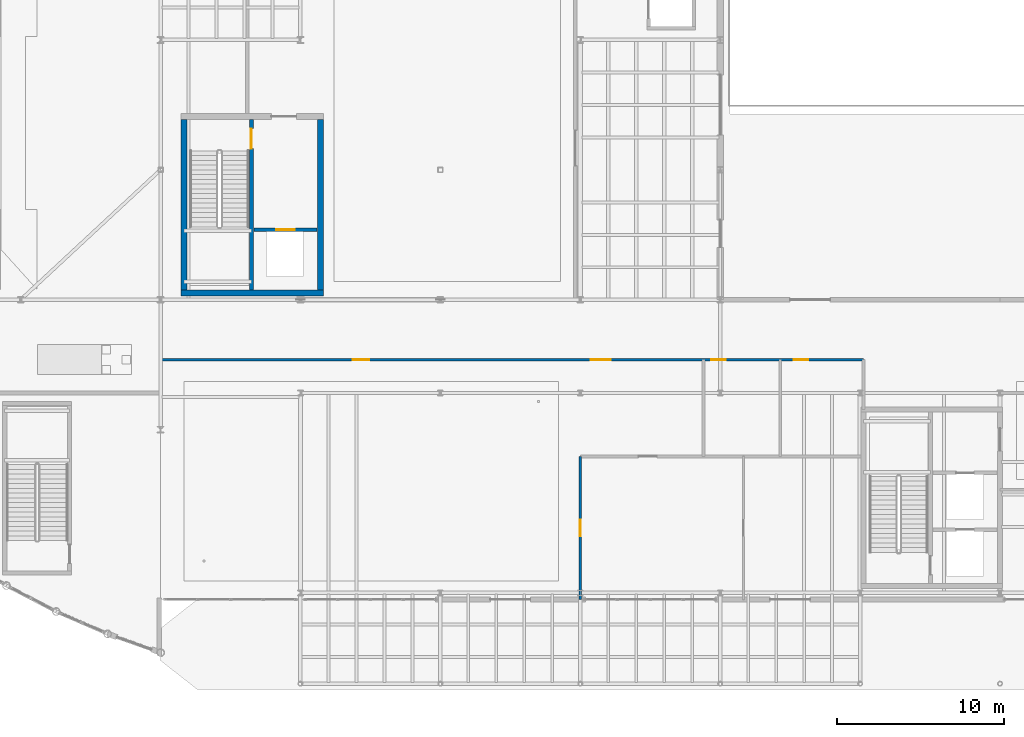
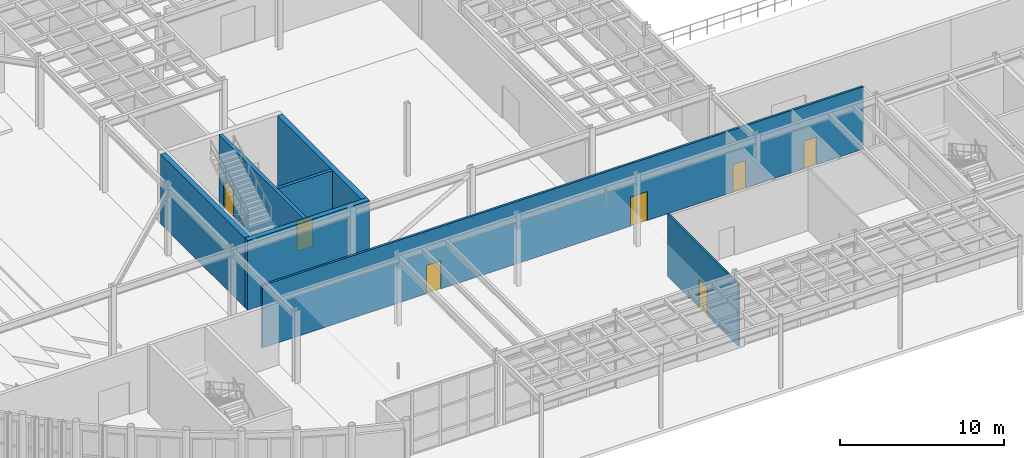
# One storey, part 63 of 87: 7 doors, 7 walls, 7 openings.
"""IFC4 building model written with IfcOpenShell, lengths in metres."""

import ifcopenshell
import ifcopenshell.guid

model = None  # the IFC model being written
_history = None  # IfcOwnerHistory: only IFC2X3 demands one
_inside = {}  # id of a spatial element -> (the spatial element, [elements in it])
_under = {}  # id of a project, library or spatial element -> (it, [spatial elements below it])
_declared = {}  # id of a project -> (the project, [libraries it declares])
_typed = {}  # id of a type object -> (the type object, [elements of that type])
_made_of = {}  # id of a material, layer set ... -> (it, [elements and type objects made of it])


def new_model(schema):
    """Start an empty IFC model of exactly this schema.

    Asked for "IFC4X3", IfcOpenShell would pick the latest addendum, in which some entities
    have other attributes; the version numbers below select the first issue.
    IFC2X3 requires an IfcOwnerHistory on every rooted entity: one is made here for all.
    """
    global model, _history
    if schema == "IFC4X3":
        model = ifcopenshell.file(schema_version=(4, 3, 0, 0))
    else:
        model = ifcopenshell.file(schema=schema)
    _inside.clear()
    _under.clear()
    _declared.clear()
    _typed.clear()
    _made_of.clear()
    _history = None
    if model.schema == "IFC2X3":
        org = make("IfcOrganization", Name="unknown")
        user = make(
            "IfcPersonAndOrganization",
            ThePerson=make("IfcPerson", FamilyName="unknown"),
            TheOrganization=org,
        )
        app = make(
            "IfcApplication",
            ApplicationDeveloper=org,
            Version="unknown",
            ApplicationFullName="unknown",
            ApplicationIdentifier="unknown",
        )
        _history = make(
            "IfcOwnerHistory",
            OwningUser=user,
            OwningApplication=app,
            ChangeAction="ADDED",
            CreationDate=0,
        )
    return model


def make(cls, **values):
    """One entity of the class cls with the attributes given. An attribute that is None is left unset."""
    return model.create_entity(
        cls, **{name: value for name, value in values.items() if value is not None}
    )


def rooted(cls, **values):
    """An entity with a GlobalId (a new one), such as an element, a storey or a relation."""
    return make(cls, GlobalId=ifcopenshell.guid.new(), OwnerHistory=_history, **values)


def si_unit(unit_type, name, prefix=None):
    """IfcSIUnit, for example si_unit("LENGTHUNIT", "METRE", prefix="MILLI")."""
    return make("IfcSIUnit", UnitType=unit_type, Prefix=prefix, Name=name)


def assignment(units):
    """IfcUnitAssignment: the units of a project."""
    return None if units is None else make("IfcUnitAssignment", Units=units)


def point(xyz):
    """IfcCartesianPoint."""
    return None if xyz is None else make("IfcCartesianPoint", Coordinates=xyz)


def direction(xyz):
    """IfcDirection."""
    return None if xyz is None else make("IfcDirection", DirectionRatios=xyz)


def frame(location, z_axis=None, x_axis=None):
    """IfcAxis2Placement3D, a coordinate frame: its origin and axes. An axis left out is left unset."""
    return make(
        "IfcAxis2Placement3D",
        Location=point(location),
        Axis=direction(z_axis),
        RefDirection=direction(x_axis),
    )


def frame_2d(location, x_axis=None):
    """IfcAxis2Placement2D, a coordinate frame in the plane: its origin and x axis."""
    return make(
        "IfcAxis2Placement2D", Location=point(location), RefDirection=direction(x_axis)
    )


def origin():
    """The frame at (0, 0, 0) with its axes left unset."""
    return frame((0.0, 0.0, 0.0))


def place(relative_to, where):
    """IfcLocalPlacement: puts the frame where relative to a parent placement (None: the world)."""
    return make(
        "IfcLocalPlacement", PlacementRelTo=relative_to, RelativePlacement=where
    )


def context(
    kind, dimensions, precision=None, world=None, true_north=None, identifier=None
):
    """IfcGeometricRepresentationContext, for example the 3D "Model" context."""
    return make(
        "IfcGeometricRepresentationContext",
        ContextIdentifier=identifier,
        ContextType=kind,
        CoordinateSpaceDimension=dimensions,
        Precision=precision,
        WorldCoordinateSystem=world,
        TrueNorth=true_north,
    )


def subcontext(parent, identifier, kind, view, scale=None):
    """IfcGeometricRepresentationSubContext, for example "Body" below "Model"."""
    return make(
        "IfcGeometricRepresentationSubContext",
        ContextIdentifier=identifier,
        ContextType=kind,
        ParentContext=parent,
        TargetScale=scale,
        TargetView=view,
    )


def project(units=None, contexts=None):
    """IfcProject with its units and contexts."""
    return rooted(
        "IfcProject",
        Name="project",
        RepresentationContexts=contexts,
        UnitsInContext=assignment(units),
    )


def spatial(cls, under=None, at=None, **own):
    """A site, building, storey or space (cls), placed at a placement, below another one or the project."""
    s = rooted(cls, ObjectPlacement=at, **own)
    if under is not None:
        _under.setdefault(under.id(), (under, []))[1].append(s)
    return s


def profile(cls, at=None, kind="AREA", **sizes):
    """A parametric profile (cls). Its sizes go by their IFC names, for example OverallWidth=200.0."""
    return make(cls, ProfileType=kind, Position=at, **sizes)


def rectangle(**sizes):
    """IfcRectangleProfileDef."""
    return profile("IfcRectangleProfileDef", **sizes)


def extrude(swept, where, along, depth):
    """IfcExtrudedAreaSolid: the profile swept, set in the frame where, extruded along a direction by depth."""
    return make(
        "IfcExtrudedAreaSolid",
        SweptArea=swept,
        Position=where,
        ExtrudedDirection=direction(along),
        Depth=depth,
    )


def shape(context_of_items, identifier, shape_type, items):
    """IfcShapeRepresentation: the items that make up one representation, for example the "Body"."""
    return make(
        "IfcShapeRepresentation",
        ContextOfItems=context_of_items,
        RepresentationIdentifier=identifier,
        RepresentationType=shape_type,
        Items=items,
    )


def material(Name=None, Category=None):
    """IfcMaterial."""
    return make("IfcMaterial", Name=Name, Category=Category)


def layer(
    of_material, thickness, ventilated=None, Name=None, Category=None, Priority=None
):
    """IfcMaterialLayer: one layer of a wall or slab, of a material (None: an air gap)."""
    return make(
        "IfcMaterialLayer",
        Material=of_material,
        LayerThickness=thickness,
        IsVentilated=ventilated,
        Name=Name,
        Category=Category,
        Priority=Priority,
    )


def layer_set(layers, Name=None):
    """IfcMaterialLayerSet."""
    return make("IfcMaterialLayerSet", MaterialLayers=layers, LayerSetName=Name)


def made_of(thing, what):
    """Note that an element or type object is made of a material, layer set ...; save() writes the relation."""
    if what is not None:
        _made_of.setdefault(what.id(), (what, []))[1].append(thing)
    return thing


def type_object(cls, material=None, **own):
    """A type object (cls), such as IfcWallType, which elements share."""
    return made_of(rooted(cls, **own), material)


def element(
    cls,
    number,
    at=None,
    inside=None,
    cuts=None,
    type_object=None,
    material=None,
    context=None,
    identifier="Body",
    shape_type=None,
    held_by="IfcProductDefinitionShape",
    body=None,
    shapes=None,
    **own,
):
    """One element of the class cls, such as IfcWall. Its Tag is "e" and its number.

    at: its placement. inside: the storey or other place that contains it. cuts: it is an
    opening in that element (IfcRelVoidsElement). A single representation is given by context,
    identifier, shape_type and body (its items); several are given by shapes. held_by: the class
    of the entity that holds the representations. save() writes the other relations.
    """
    e = rooted(cls, Tag="e%d" % number, ObjectPlacement=at, **own)
    if body is not None:
        shapes = [shape(context, identifier, shape_type, body)]
    if shapes is not None:
        e.Representation = make(held_by, Representations=shapes)
    if inside is not None:
        _inside.setdefault(inside.id(), (inside, []))[1].append(e)
    if cuts is not None:
        rooted(
            "IfcRelVoidsElement", RelatingBuildingElement=cuts, RelatedOpeningElement=e
        )
    if type_object is not None:
        _typed.setdefault(type_object.id(), (type_object, []))[1].append(e)
    return made_of(e, material)


def fill(opening, filler):
    """IfcRelFillsElement: the door or window that sits in an opening."""
    return rooted(
        "IfcRelFillsElement",
        RelatingOpeningElement=opening,
        RelatedBuildingElement=filler,
    )


def aggregate(whole, parts):
    """IfcRelAggregates: a whole, such as a stair, and the parts it consists of."""
    return rooted("IfcRelAggregates", RelatingObject=whole, RelatedObjects=parts)


def save(model, path):
    """Write the relations noted so far, then the file.

    IfcRelAggregates (storeys below a building ...), IfcRelContainedInSpatialStructure (elements
    in a storey), IfcRelDefinesByType, IfcRelAssociatesMaterial and IfcRelDeclares: one each for
    every whole, place, type object, material and project.
    """
    for whole, parts in _under.values():
        aggregate(whole, parts)
    for where, things in _inside.values():
        rooted(
            "IfcRelContainedInSpatialStructure",
            RelatedElements=things,
            RelatingStructure=where,
        )
    for kind, things in _typed.values():
        rooted("IfcRelDefinesByType", RelatedObjects=things, RelatingType=kind)
    for what, things in _made_of.values():
        rooted("IfcRelAssociatesMaterial", RelatedObjects=things, RelatingMaterial=what)
    for by, libraries in _declared.values():
        rooted("IfcRelDeclares", RelatingContext=by, RelatedDefinitions=libraries)
    model.write(path)


model = new_model("IFC4")

# Units and contexts
model_context = context("Model", 3, precision=1e-05, world=origin(), true_north=direction((0.0, 1.0)))
body_context = subcontext(model_context, "Body", "Model", "MODEL_VIEW")
ifc_project = project(units=[si_unit("LENGTHUNIT", "METRE"), si_unit("AREAUNIT", "SQUARE_METRE"), si_unit("VOLUMEUNIT", "CUBIC_METRE"), si_unit("PLANEANGLEUNIT", "RADIAN"), si_unit("MASSUNIT", "GRAM", prefix="KILO")], contexts=[model_context])

# Site, building, storey
site_placement = place(None, origin())
site = spatial("IfcSite", under=ifc_project, at=site_placement, CompositionType="ELEMENT")
building_placement = place(site_placement, origin())
building = spatial("IfcBuilding", under=site, at=building_placement, Name="Selat Folded Stagehouse", CompositionType="ELEMENT")
storey_placement = place(building_placement, origin())
storey = spatial("IfcBuildingStorey", under=building, at=storey_placement, Name="L00", CompositionType="ELEMENT", Elevation=0.0)

# Wall, opening, door
ifc_material_1 = material(Name="Concrete C40/50", Category="concrete")
ifc_layer_1 = layer(ifc_material_1, 0.215087890625)
ifc_layer_set_1 = layer_set([ifc_layer_1], Name="Concrete C40/50")
wall_type_1 = type_object("IfcWallType", Name="WAL-COMP-215", PredefinedType="STANDARD", material=ifc_layer_set_1)
wall_1_placement = place(storey_placement, frame((39.2099609375, 27.60009765625, 0.0), z_axis=(0.0, 0.0, 1.0), x_axis=(1.0, 0.0, 0.0)))
wall_1 = element("IfcWall", 1, at=wall_1_placement, inside=storey, type_object=wall_type_1, Name="L00 FL-01 lift shaft front wall", PredefinedType="STANDARD", context=body_context, shape_type="SweptSolid", body=[
    extrude(rectangle(XDim=3.794921875, YDim=0.215087890625, at=frame_2d((1.8974609375, 0.0))), origin(), (0.0, 0.0, 1.0), 5.172119140625),
])
opening_1_placement = place(wall_1_placement, frame((1.347412109375, 0.0, 0.0)))
opening_1 = element("IfcOpeningElement", 2, at=opening_1_placement, cuts=wall_1, Name="Opening LD-01", PredefinedType="OPENING", context=body_context, shape_type="SweptSolid", body=[
    extrude(rectangle(XDim=1.10009765625, YDim=2.199951171875, at=frame_2d((0.550048828125, 1.10009765625))), frame((0.0, 0.117431640625, 0.0), z_axis=(0.0, -1.0, 0.0), x_axis=(1.0, 0.0, 0.0)), (0.0, 0.0, 1.0), 0.235107421875),
])
ifc_material_2 = material(Name="Firefighting lift stainless sliding landing door", Category="wood")
door_type_1 = type_object("IfcDoorType", Name="DOR-LFT-1100", OperationType="NOTDEFINED", PredefinedType="DOOR", material=ifc_material_2)
door_1_placement = place(opening_1_placement, origin())
door_1 = element("IfcDoor", 3, at=door_1_placement, inside=storey, type_object=door_type_1, Name="L00 FL-01 lift sliding landing door", OperationType="SLIDING_TO_LEFT", OverallHeight=2.199951171875, OverallWidth=1.10009765625, PredefinedType="DOOR", context=body_context, shape_type="SweptSolid", body=[
    extrude(rectangle(XDim=1.10009765625, YDim=2.199951171875, at=frame_2d((0.550048828125, 1.10009765625))), frame((0.0, 0.02490234375, 0.0), z_axis=(0.0, -1.0, 0.0), x_axis=(1.0, 0.0, 0.0)), (0.0, 0.0, 1.0), 0.050048828125),
])
fill(opening_1, door_1)

ifc_material_3 = material(Name="Concrete C50/60", Category="concrete")
ifc_layer_2 = layer(ifc_material_3, 0.25)
ifc_layer_set_2 = layer_set([ifc_layer_2], Name="Concrete C50/60")
wall_type_2 = type_object("IfcWallType", Name="WAL-CORE-250", PredefinedType="SHEAR", material=ifc_layer_set_2)
wall_2_placement = place(storey_placement, frame((39.050048828125, 34.22509765625, 0.0), z_axis=(0.0, 0.0, 1.0), x_axis=(0.0, -1.0, 0.0)))
wall_2 = element("IfcWall", 4, at=wall_2_placement, inside=storey, type_object=wall_type_2, Name="L00 CR-1 internal core divider wall", PredefinedType="SHEAR", context=body_context, shape_type="SweptSolid", body=[
    extrude(rectangle(XDim=10.25, YDim=0.25, at=frame_2d((5.125, 0.0))), origin(), (0.0, 0.0, 1.0), 5.179931640625),
])
opening_2_placement = place(wall_2_placement, frame((0.550048828125, 0.0, 0.0)))
opening_2 = element("IfcOpeningElement", 5, at=opening_2_placement, cuts=wall_2, Name="Opening FD-120", PredefinedType="OPENING", context=body_context, shape_type="SweptSolid", body=[
    extrude(rectangle(XDim=1.199951171875, YDim=2.14990234375, at=frame_2d((0.60009765625, 1.074951171875))), frame((0.0, 0.135009765625, 0.0), z_axis=(0.0, -1.0, 0.0), x_axis=(1.0, 0.0, 0.0)), (0.0, 0.0, 1.0), 0.27001953125),
])
ifc_material_4 = material(Name="Fire-rated steel acoustic door", Category="steel")
door_type_2 = type_object("IfcDoorType", Name="DOR-FIRE-120", OperationType="NOTDEFINED", PredefinedType="DOOR", material=ifc_material_4)
door_2_placement = place(opening_2_placement, origin())
door_2 = element("IfcDoor", 6, at=door_2_placement, inside=storey, type_object=door_type_2, Name="L00 CR-1 protected stair fire door", OperationType="SINGLE_SWING_LEFT", OverallHeight=2.14990234375, OverallWidth=1.199951171875, PredefinedType="DOOR", context=body_context, shape_type="SweptSolid", body=[
    extrude(rectangle(XDim=1.199951171875, YDim=2.14990234375, at=frame_2d((0.60009765625, 1.074951171875))), frame((0.0, 0.02490234375, 0.0), z_axis=(0.0, -1.0, 0.0), x_axis=(1.0, 0.0, 0.0)), (0.0, 0.0, 1.0), 0.050048828125),
])
fill(opening_2, door_2)

ifc_material_5 = material(Name="Standard acoustic drywall partition", Category="gypsum")
ifc_layer_3 = layer(ifc_material_5, 0.125)
ifc_layer_set_3 = layer_set([ifc_layer_3], Name="Standard acoustic drywall partition")
wall_type_3 = type_object("IfcWallType", Name="WAL-PART-125", PredefinedType="PARTITIONING", material=ifc_layer_set_3)
wall_3_placement = place(storey_placement, frame((58.800048828125, 5.39990234375, 0.0), z_axis=(0.0, 0.0, 1.0), x_axis=(0.0, 1.0, 0.0)))
wall_3 = element("IfcWall", 7, at=wall_3_placement, inside=storey, type_object=wall_type_3, Name="L00 interior partition wall 019", PredefinedType="PARTITIONING", context=body_context, shape_type="SweptSolid", body=[
    extrude(rectangle(XDim=8.60009765625, YDim=0.125, at=frame_2d((4.300048828125, 0.0))), origin(), (0.0, 0.0, 1.0), 4.638916015625),
])
opening_3_placement = place(wall_3_placement, frame((3.81005859375, 0.0, 0.0)))
opening_3 = element("IfcOpeningElement", 8, at=opening_3_placement, cuts=wall_3, Name="Opening ID-02", PredefinedType="OPENING", context=body_context, shape_type="SweptSolid", body=[
    extrude(rectangle(XDim=0.97998046875, YDim=2.10009765625, at=frame_2d((0.489990234375, 1.050048828125))), frame((0.0, 0.072509765625, 0.0), z_axis=(0.0, -1.0, 0.0), x_axis=(1.0, 0.0, 0.0)), (0.0, 0.0, 1.0), 0.14501953125),
])
ifc_material_6 = material(Name="Production office timber door", Category="wood")
door_type_3 = type_object("IfcDoorType", Name="DOR-OFF-0980", OperationType="NOTDEFINED", PredefinedType="DOOR", material=ifc_material_6)
door_3_placement = place(opening_3_placement, origin())
door_3 = element("IfcDoor", 9, at=door_3_placement, inside=storey, type_object=door_type_3, Name="L00 interior door IWAL-L00-019-1", OperationType="SINGLE_SWING_RIGHT", OverallHeight=2.10009765625, OverallWidth=0.97998046875, PredefinedType="DOOR", context=body_context, shape_type="SweptSolid", body=[
    extrude(rectangle(XDim=0.97998046875, YDim=2.10009765625, at=frame_2d((0.489990234375, 1.050048828125))), frame((0.0, 0.02490234375, 0.0), z_axis=(0.0, -1.0, 0.0), x_axis=(1.0, 0.0, 0.0)), (0.0, 0.0, 1.0), 0.050048828125),
])
fill(opening_3, door_3)

# Wall, openings, doors
ifc_material_7 = material(Name="Fire-rated drywall stud partition", Category="gypsum")
ifc_layer_4 = layer(ifc_material_7, 0.14990234375)
ifc_layer_set_4 = layer_set([ifc_layer_4], Name="Fire-rated drywall stud partition")
wall_type_4 = type_object("IfcWallType", Name="WAL-PART-150", PredefinedType="PARTITIONING", material=ifc_layer_set_4)
wall_4_placement = place(storey_placement, frame((33.60009765625, 19.800048828125, 0.0), z_axis=(0.0, 0.0, 1.0), x_axis=(1.0, 0.0, 0.0)))
wall_4 = element("IfcWall", 10, at=wall_4_placement, inside=storey, type_object=wall_type_4, Name="L00 interior partition wall 018", PredefinedType="PARTITIONING", context=body_context, shape_type="SweptSolid", body=[
    extrude(rectangle(XDim=42.199951171875, YDim=0.14990234375, at=frame_2d((21.10009765625, 0.0))), origin(), (0.0, 0.0, 1.0), 4.63232421875),
])
opening_4_placement = place(wall_4_placement, frame((11.535888671875, 0.0, 0.0)))
opening_4 = element("IfcOpeningElement", 11, at=opening_4_placement, cuts=wall_4, Name="Opening FD-30", PredefinedType="OPENING", context=body_context, shape_type="SweptSolid", body=[
    extrude(rectangle(XDim=1.0, YDim=2.10009765625, at=frame_2d((0.5, 1.050048828125))), frame((0.0, 0.0849609375, 0.0), z_axis=(0.0, -1.0, 0.0), x_axis=(1.0, 0.0, 0.0)), (0.0, 0.0, 1.0), 0.169921875),
])
opening_5_placement = place(wall_4_placement, frame((25.830078125, 0.0, 0.0)))
opening_5 = element("IfcOpeningElement", 12, at=opening_5_placement, cuts=wall_4, Name="Opening FD-120", PredefinedType="OPENING", context=body_context, shape_type="SweptSolid", body=[
    extrude(rectangle(XDim=1.199951171875, YDim=2.14990234375, at=frame_2d((0.60009765625, 1.074951171875))), frame((0.0, 0.0849609375, 0.0), z_axis=(0.0, -1.0, 0.0), x_axis=(1.0, 0.0, 0.0)), (0.0, 0.0, 1.0), 0.169921875),
])
opening_6_placement = place(wall_4_placement, frame((33.055908203125, 0.0, 0.0)))
opening_6 = element("IfcOpeningElement", 13, at=opening_6_placement, cuts=wall_4, Name="Opening ID-05", PredefinedType="OPENING", context=body_context, shape_type="SweptSolid", body=[
    extrude(rectangle(XDim=0.8798828125, YDim=2.050048828125, at=frame_2d((0.43994140625, 1.02490234375))), frame((0.0, 0.0849609375, 0.0), z_axis=(0.0, -1.0, 0.0), x_axis=(1.0, 0.0, 0.0)), (0.0, 0.0, 1.0), 0.169921875),
])
opening_7_placement = place(wall_4_placement, frame((38.014404296875, 0.0, 0.0)))
opening_7 = element("IfcOpeningElement", 14, at=opening_7_placement, cuts=wall_4, Name="Opening ID-05", PredefinedType="OPENING", context=body_context, shape_type="SweptSolid", body=[
    extrude(rectangle(XDim=0.8798828125, YDim=2.050048828125, at=frame_2d((0.43994140625, 1.02490234375))), frame((0.0, 0.0849609375, 0.0), z_axis=(0.0, -1.0, 0.0), x_axis=(1.0, 0.0, 0.0)), (0.0, 0.0, 1.0), 0.169921875),
])
door_4_placement = place(opening_5_placement, origin())
door_4 = element("IfcDoor", 15, at=door_4_placement, inside=storey, type_object=door_type_2, Name="L00 interior door IWAL-L00-018-2", OperationType="SINGLE_SWING_LEFT", OverallHeight=2.14990234375, OverallWidth=1.199951171875, PredefinedType="DOOR", context=body_context, shape_type="SweptSolid", body=[
    extrude(rectangle(XDim=1.199951171875, YDim=2.14990234375, at=frame_2d((0.60009765625, 1.074951171875))), frame((0.0, 0.02490234375, 0.0), z_axis=(0.0, -1.0, 0.0), x_axis=(1.0, 0.0, 0.0)), (0.0, 0.0, 1.0), 0.050048828125),
])
fill(opening_5, door_4)
ifc_material_8 = material(Name="Smoke-sealed fire door", Category="wood")
door_type_4 = type_object("IfcDoorType", Name="DOR-FIRE-30", OperationType="NOTDEFINED", PredefinedType="DOOR", material=ifc_material_8)
door_5_placement = place(opening_4_placement, origin())
door_5 = element("IfcDoor", 16, at=door_5_placement, inside=storey, type_object=door_type_4, Name="L00 interior door IWAL-L00-018-1", OperationType="SINGLE_SWING_RIGHT", OverallHeight=2.10009765625, OverallWidth=1.0, PredefinedType="DOOR", context=body_context, shape_type="SweptSolid", body=[
    extrude(rectangle(XDim=1.0, YDim=2.10009765625, at=frame_2d((0.5, 1.050048828125))), frame((0.0, 0.02490234375, 0.0), z_axis=(0.0, -1.0, 0.0), x_axis=(1.0, 0.0, 0.0)), (0.0, 0.0, 1.0), 0.050048828125),
])
fill(opening_4, door_5)
ifc_material_9 = material(Name="Sanitary room single door", Category="wood")
door_type_5 = type_object("IfcDoorType", Name="DOR-WC-0880", OperationType="NOTDEFINED", PredefinedType="DOOR", material=ifc_material_9)
door_6_placement = place(opening_6_placement, origin())
door_6 = element("IfcDoor", 17, at=door_6_placement, inside=storey, type_object=door_type_5, Name="L00 interior door IWAL-L00-018-3", OperationType="SINGLE_SWING_RIGHT", OverallHeight=2.050048828125, OverallWidth=0.8798828125, PredefinedType="DOOR", context=body_context, shape_type="SweptSolid", body=[
    extrude(rectangle(XDim=0.8798828125, YDim=2.050048828125, at=frame_2d((0.43994140625, 1.02490234375))), frame((0.0, 0.02490234375, 0.0), z_axis=(0.0, -1.0, 0.0), x_axis=(1.0, 0.0, 0.0)), (0.0, 0.0, 1.0), 0.050048828125),
])
fill(opening_6, door_6)
door_7_placement = place(opening_7_placement, origin())
door_7 = element("IfcDoor", 18, at=door_7_placement, inside=storey, type_object=door_type_5, Name="L00 interior door IWAL-L00-018-4", OperationType="SINGLE_SWING_LEFT", OverallHeight=2.050048828125, OverallWidth=0.8798828125, PredefinedType="DOOR", context=body_context, shape_type="SweptSolid", body=[
    extrude(rectangle(XDim=0.8798828125, YDim=2.050048828125, at=frame_2d((0.43994140625, 1.02490234375))), frame((0.0, 0.02490234375, 0.0), z_axis=(0.0, -1.0, 0.0), x_axis=(1.0, 0.0, 0.0)), (0.0, 0.0, 1.0), 0.050048828125),
])
fill(opening_7, door_7)

# Walls
ifc_layer_5 = layer(ifc_material_3, 0.35009765625)
ifc_layer_set_5 = layer_set([ifc_layer_5], Name="Concrete C50/60")
wall_type_5 = type_object("IfcWallType", Name="WAL-SW-350", PredefinedType="SHEAR", material=ifc_layer_set_5)
wall_5_placement = place(storey_placement, frame((43.375, 23.800048828125, 0.0), z_axis=(0.0, 0.0, 1.0), x_axis=(-1.0, 0.0, 0.0)))
element("IfcWall", 19, at=wall_5_placement, inside=storey, type_object=wall_type_5, Name="L00 CR-1 south shear wall", PredefinedType="SHEAR", context=body_context, shape_type="SweptSolid", body=[
    extrude(rectangle(XDim=8.550048828125, YDim=0.35009765625, at=frame_2d((4.27490234375, 0.0))), origin(), (0.0, 0.0, 1.0), 5.179931640625),
])
for number, where, z_axis, x_axis, name in (
    (20, (35.0, 23.97509765625, 0.0), (0.0, 0.0, 1.0), (0.0, 1.0, 0.0), "L00 CR-1 west shear wall"),
    (21, (43.199951171875, 34.22509765625, 0.0), (0.0, 0.0, 1.0), (0.0, -1.0, 0.0), "L00 CR-1 east shear wall"),
):
    element("IfcWall", number, at=place(storey_placement, frame(where, z_axis=z_axis, x_axis=x_axis)), inside=storey, type_object=wall_type_5, Name=name, PredefinedType="SHEAR", context=body_context, shape_type="SweptSolid", body=[
        extrude(rectangle(XDim=10.25, YDim=0.35009765625, at=frame_2d((5.125, 0.0))), origin(), (0.0, 0.0, 1.0), 5.179931640625),
    ])

save(model, "model.ifc")
